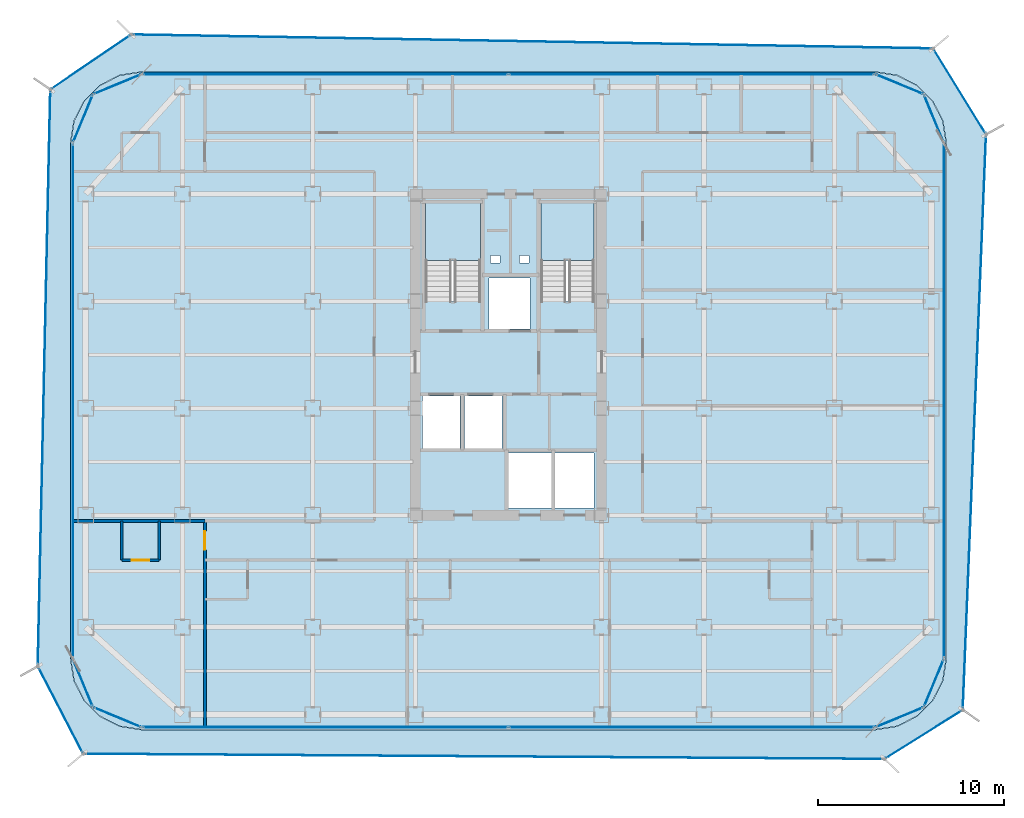
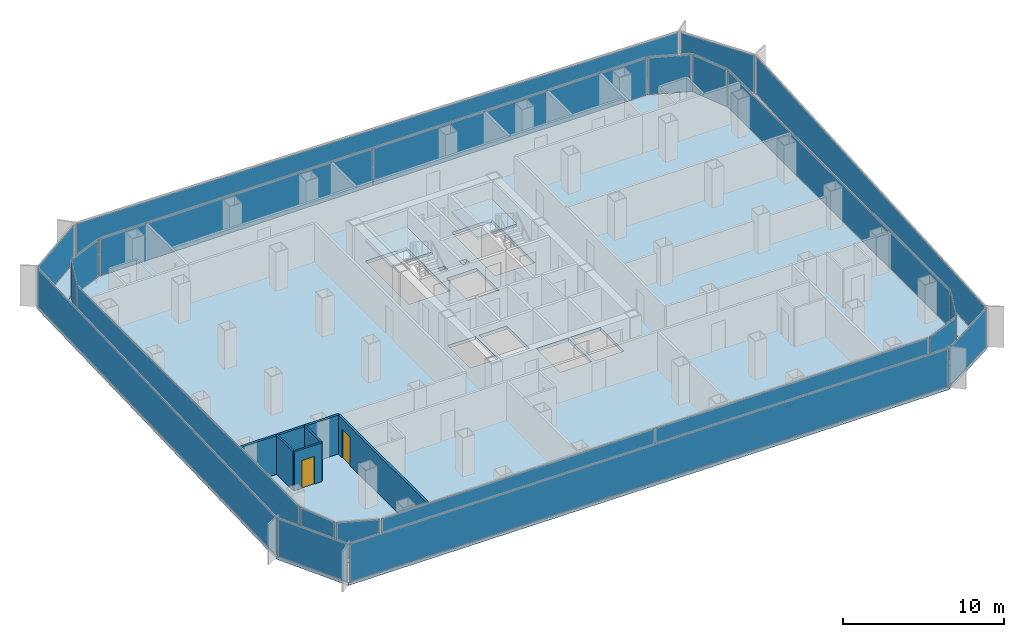
# One storey, part 15 of 21: 22 plates, 5 walls, 4 slabs, 2 doors, 2 openings, 22 elements without a shape of their own.
"""IFC4 building model written with IfcOpenShell, lengths in metres."""

from ifc_helpers import new_model, si_unit, direction, frame, frame_2d, origin, origin_2d, place, context, subcontext, project, spatial, polyline, rectangle, outline, extrude, source, transform, mapped, material, layer, layer_set, type_object, element, fill, aggregate, save


model = new_model("IFC4")

# Units and contexts
model_context = context("Model", 3, precision=1e-05, world=origin(), true_north=direction((0.0, 1.0)))
body_context = subcontext(model_context, "Body", "Model", "MODEL_VIEW")
ifc_project = project(units=[si_unit("LENGTHUNIT", "METRE"), si_unit("AREAUNIT", "SQUARE_METRE"), si_unit("VOLUMEUNIT", "CUBIC_METRE"), si_unit("PLANEANGLEUNIT", "RADIAN"), si_unit("MASSUNIT", "GRAM", prefix="KILO")], contexts=[model_context])

# Site, building, storey
site_placement = place(None, origin())
site = spatial("IfcSite", under=ifc_project, at=site_placement, CompositionType="ELEMENT")
building_placement = place(site_placement, origin())
building = spatial("IfcBuilding", under=site, at=building_placement, Name="Kolveth Station Tower", CompositionType="ELEMENT")
storey_placement = place(building_placement, frame((0.0, 0.0, 121.5)))
storey = spatial("IfcBuildingStorey", under=building, at=storey_placement, Name="L33", CompositionType="ELEMENT", Elevation=121.5)

# Slab
ifc_material_1 = material(Name="Concrete C40/50", Category="concrete")
ifc_layer_1 = layer(ifc_material_1, 0.25)
ifc_layer_set_1 = layer_set([ifc_layer_1], Name="Concrete C40/50")
slab_type_1 = type_object("IfcSlabType", Name="Slab_SF-250", PredefinedType="FLOOR", material=ifc_layer_set_1)
slab_1_placement = place(storey_placement, frame((0.0, 0.0, -0.25)))
element("IfcSlab", 1, at=slab_1_placement, inside=storey, type_object=slab_type_1, Name="L33 Tower Structural Floor Slab", PredefinedType="FLOOR", context=body_context, shape_type="SweptSolid", body=[
    extrude(outline(polyline([(43.199951171875, 0.0), (44.374267578125, 0.18603515625), (45.43359375, 0.7255859375), (46.2744140625, 1.56640625), (46.81396484375, 2.625732421875), (47.0, 3.800048828125), (47.0, 31.5), (46.81396484375, 32.67431640625), (46.2744140625, 33.733642578125), (45.43359375, 34.57421875), (44.374267578125, 35.114013671875), (43.199951171875, 35.300048828125), (3.800048828125, 35.300048828125), (2.625732421875, 35.114013671875), (1.56640625, 34.57421875), (0.7255859375, 33.733642578125), (0.18603515625, 32.67431640625), (0.0, 31.5), (0.0, 3.800048828125), (0.18603515625, 2.625732421875), (0.7255859375, 1.56640625), (1.56640625, 0.7255859375), (2.625732421875, 0.18603515625), (3.800048828125, 0.0), (43.199951171875, 0.0)]), holes=[polyline([(19.0400390625, 22.985107421875), (22.0, 22.985107421875), (22.0, 28.39990234375), (19.0400390625, 28.39990234375), (19.0400390625, 22.985107421875)]), polyline([(25.239990234375, 22.985107421875), (28.10009765625, 22.985107421875), (28.10009765625, 28.39990234375), (25.239990234375, 28.39990234375), (25.239990234375, 22.985107421875)]), polyline([(18.89990234375, 15.10009765625), (20.89990234375, 15.10009765625), (20.89990234375, 17.89990234375), (18.89990234375, 17.89990234375), (18.89990234375, 15.10009765625)]), polyline([(21.14990234375, 15.10009765625), (23.14990234375, 15.10009765625), (23.14990234375, 17.89990234375), (21.14990234375, 17.89990234375), (21.14990234375, 15.10009765625)]), polyline([(22.449951171875, 21.5), (24.64990234375, 21.5), (24.64990234375, 24.25), (22.449951171875, 24.25), (22.449951171875, 21.5)]), polyline([(23.5, 11.89990234375), (25.800048828125, 11.89990234375), (25.800048828125, 14.85009765625), (23.5, 14.85009765625), (23.5, 11.89990234375)]), polyline([(26.0, 11.89990234375), (28.10009765625, 11.89990234375), (28.10009765625, 14.85009765625), (26.0, 14.85009765625), (26.0, 11.89990234375)]), polyline([(22.550048828125, 25.050048828125), (23.050048828125, 25.050048828125), (23.050048828125, 25.449951171875), (22.550048828125, 25.449951171875), (22.550048828125, 25.050048828125)]), polyline([(24.10009765625, 25.050048828125), (24.60009765625, 25.050048828125), (24.60009765625, 25.449951171875), (24.10009765625, 25.449951171875), (24.10009765625, 25.050048828125)])]), origin(), (0.0, 0.0, 1.0), 0.25),
])

# Stair, slab
stair_type_1 = type_object("IfcStairType", Name="Stair_ST2", PredefinedType="HALF_TURN_STAIR", material=ifc_material_1)
stair_1_placement = place(storey_placement, origin())
stair_1 = element("IfcStair", 2, at=stair_1_placement, inside=storey, type_object=stair_type_1, Name="L33 Tower Exit Stair ST2", PredefinedType="HALF_TURN_STAIR")
ifc_layer_2 = layer(ifc_material_1, 0.18994140625)
ifc_layer_set_2 = layer_set([ifc_layer_2], Name="Concrete C40/50")
slab_type_2 = type_object("IfcSlabType", Name="Slab_SL-190", PredefinedType="LANDING", material=ifc_layer_set_2)
slab_2_placement = place(storey_placement, frame((0.0, 0.0, 1.39990234375)))
slab_2 = element("IfcSlab", 3, at=slab_2_placement, type_object=slab_type_2, Name="ST2 landing 1", PredefinedType="LANDING", context=body_context, shape_type="SweptSolid", body=[
    extrude(outline(polyline([(28.10009765625, 25.18994140625), (28.10009765625, 28.39990234375), (25.239990234375, 28.39990234375), (25.239990234375, 25.18994140625), (28.10009765625, 25.18994140625)])), origin(), (0.0, 0.0, 1.0), 0.2001953125),
])
aggregate(stair_1, [slab_2])

stair_type_2 = type_object("IfcStairType", Name="Stair_ST1", PredefinedType="HALF_TURN_STAIR", material=ifc_material_1)
stair_2_placement = place(storey_placement, origin())
stair_2 = element("IfcStair", 4, at=stair_2_placement, inside=storey, type_object=stair_type_2, Name="L33 Tower Exit Stair ST1", PredefinedType="HALF_TURN_STAIR")
ifc_layer_3 = layer(ifc_material_1, 0.205078125)
ifc_layer_set_3 = layer_set([ifc_layer_3], Name="Concrete C40/50")
slab_type_3 = type_object("IfcSlabType", Name="Slab_SL-205", PredefinedType="LANDING", material=ifc_layer_set_3)
slab_3_placement = place(storey_placement, frame((0.0, 0.0, 1.39990234375)))
slab_3 = element("IfcSlab", 5, at=slab_3_placement, type_object=slab_type_3, Name="ST1 landing 1", PredefinedType="LANDING", context=body_context, shape_type="SweptSolid", body=[
    extrude(outline(polyline([(22.0, 25.18994140625), (22.0, 28.39990234375), (19.0400390625, 28.39990234375), (19.0400390625, 25.18994140625), (22.0, 25.18994140625)])), origin(), (0.0, 0.0, 1.0), 0.2001953125),
])
aggregate(stair_2, [slab_3])

# Slab
ifc_layer_4 = layer(ifc_material_1, 0.2099609375)
ifc_layer_set_4 = layer_set([ifc_layer_4], Name="Concrete C40/50")
slab_type_4 = type_object("IfcSlabType", Name="Slab_ST-210", PredefinedType="FLOOR", material=ifc_layer_set_4)
slab_4_placement = place(storey_placement, frame((0.0, 0.0, -0.2099609375)))
element("IfcSlab", 6, at=slab_4_placement, inside=storey, type_object=slab_type_4, Name="L33 Double-Skin Cavity Structural Ledger Ring", PredefinedType="FLOOR", context=body_context, shape_type="SweptSolid", body=[
    extrude(outline(polyline([(0.673095703125, -1.3037109375), (-1.764404296875, 3.398193359375), (-1.090576171875, 34.361572265625), (3.25341796875, 37.3125), (46.3046875, 36.564697265625), (49.14501953125, 31.949951171875), (47.8955078125, 1.05078125), (43.693359375, -1.582275390625), (0.673095703125, -1.3037109375)]), holes=[polyline([(43.202392578125, -0.014892578125), (44.376708984375, 0.171142578125), (44.381103515625, 0.172607421875), (45.4404296875, 0.71240234375), (45.444091796875, 0.715087890625), (46.284912109375, 1.555908203125), (46.28759765625, 1.5595703125), (46.827392578125, 2.618896484375), (46.828857421875, 2.623291015625), (47.014892578125, 3.797607421875), (47.014892578125, 3.800048828125), (47.014892578125, 31.5), (47.014892578125, 31.502197265625), (46.828857421875, 32.676513671875), (46.827392578125, 32.68115234375), (46.28759765625, 33.740478515625), (46.284912109375, 33.744140625), (45.444091796875, 34.5849609375), (45.4404296875, 34.587646484375), (44.381103515625, 35.12744140625), (44.376708984375, 35.12890625), (43.202392578125, 35.314697265625), (43.199951171875, 35.31494140625), (3.800048828125, 35.31494140625), (3.797607421875, 35.314697265625), (2.623291015625, 35.12890625), (2.618896484375, 35.12744140625), (1.5595703125, 34.587646484375), (1.555908203125, 34.5849609375), (0.715087890625, 33.744140625), (0.71240234375, 33.740478515625), (0.172607421875, 32.68115234375), (0.171142578125, 32.676513671875), (-0.014892578125, 31.502197265625), (-0.014892578125, 31.5), (-0.014892578125, 3.800048828125), (-0.014892578125, 3.797607421875), (0.171142578125, 2.623291015625), (0.172607421875, 2.618896484375), (0.71240234375, 1.5595703125), (0.715087890625, 1.555908203125), (1.555908203125, 0.715087890625), (1.5595703125, 0.71240234375), (2.618896484375, 0.172607421875), (2.623291015625, 0.171142578125), (3.797607421875, -0.014892578125), (3.800048828125, -0.014892578125), (43.199951171875, -0.014892578125), (43.202392578125, -0.014892578125)])]), origin(), (0.0, 0.0, 1.0), 0.2099609375),
])

# Curtain wall, plate
ifc_material_2 = material(Name="Aluminium 6063-T6 and low-E dark glass", Category="aluminium")
ifc_layer_5 = layer(ifc_material_2, 0.18994140625)
ifc_layer_set_5 = layer_set([ifc_layer_5], Name="Aluminium 6063-T6 and low-E dark glass")
curtain_wall_type_1 = type_object("IfcCurtainWallType", Name="CurtainWall_CW-Z2", PredefinedType="NOTDEFINED", material=ifc_layer_set_5)
curtain_wall_1_placement = place(storey_placement, origin())
curtain_wall_1 = element("IfcCurtainWall", 7, at=curtain_wall_1_placement, inside=storey, type_object=curtain_wall_type_1, Name="L33 Inner Thermal Curtain Wall 1", PredefinedType="NOTDEFINED")
ifc_material_3 = material(Name="Architectural low-E dark glass", Category="glass")
ifc_layer_6 = layer(ifc_material_3, 0.0380859375)
ifc_layer_set_6 = layer_set([ifc_layer_6], Name="Architectural low-E dark glass")
plate_type_1 = type_object("IfcPlateType", Name="Panel_GL2", PredefinedType="CURTAIN_PANEL", material=ifc_layer_set_6)
shared_shape_1 = source(origin(), body_context, "Body", "SweptSolid", [
    extrude(rectangle(XDim=2.670654296875, YDim=0.0380859375, at=origin_2d()), origin(), (0.0, 0.0, 1.0), 2.803955078125),
])
plate_1_placement = place(storey_placement, frame((44.501220703125, 0.658935546875, 0.0732421875), z_axis=(0.0, 0.0, 1.0), x_axis=(0.923887883787, 0.38266326998, 0.0)))
plate_1 = element("IfcPlate", 8, at=plate_1_placement, type_object=plate_type_1, Name="CW-Z2 panel 1.1", PredefinedType="CURTAIN_PANEL", context=body_context, shape_type="MappedRepresentation", body=[
    mapped(shared_shape_1, transform((0.0, 0.0, 0.0), x_axis=(1.0, 0.0, 0.0), y_axis=(0.0, 1.0, 0.0), z_axis=(0.0, 0.0, 1.0), scale=1.0)),
])
aggregate(curtain_wall_1, [plate_1])

curtain_wall_2_placement = place(storey_placement, origin())
curtain_wall_2 = element("IfcCurtainWall", 9, at=curtain_wall_2_placement, inside=storey, type_object=curtain_wall_type_1, Name="L33 Inner Thermal Curtain Wall 2", PredefinedType="NOTDEFINED")
plate_2_placement = place(storey_placement, frame((46.341064453125, 2.498779296875, 0.0732421875), z_axis=(0.0, 0.0, 1.0), x_axis=(0.38266326998, 0.923887883787, 0.0)))
plate_2 = element("IfcPlate", 10, at=plate_2_placement, type_object=plate_type_1, Name="CW-Z2 panel 1.1", PredefinedType="CURTAIN_PANEL", context=body_context, shape_type="MappedRepresentation", body=[
    mapped(shared_shape_1, transform((0.0, 0.0, 0.0), x_axis=(1.0, 0.0, 0.0), y_axis=(0.0, 1.0, 0.0), z_axis=(0.0, 0.0, 1.0), scale=1.0)),
])
aggregate(curtain_wall_2, [plate_2])

curtain_wall_3_placement = place(storey_placement, origin())
curtain_wall_3 = element("IfcCurtainWall", 11, at=curtain_wall_3_placement, inside=storey, type_object=curtain_wall_type_1, Name="L33 Inner Thermal Curtain Wall 4", PredefinedType="NOTDEFINED")
plate_3_placement = place(storey_placement, frame((46.341064453125, 32.801025390625, 0.0732421875), z_axis=(0.0, 0.0, 1.0), x_axis=(-0.38266326998, 0.923887883787, 0.0)))
plate_3 = element("IfcPlate", 12, at=plate_3_placement, type_object=plate_type_1, Name="CW-Z2 panel 1.1", PredefinedType="CURTAIN_PANEL", context=body_context, shape_type="MappedRepresentation", body=[
    mapped(shared_shape_1, transform((0.0, 0.0, 0.0), x_axis=(1.0, 0.0, 0.0), y_axis=(0.0, 1.0, 0.0), z_axis=(0.0, 0.0, 1.0), scale=1.0)),
])
aggregate(curtain_wall_3, [plate_3])

curtain_wall_4_placement = place(storey_placement, origin())
curtain_wall_4 = element("IfcCurtainWall", 13, at=curtain_wall_4_placement, inside=storey, type_object=curtain_wall_type_1, Name="L33 Inner Thermal Curtain Wall 5", PredefinedType="NOTDEFINED")
plate_4_placement = place(storey_placement, frame((44.501220703125, 34.64111328125, 0.0732421875), z_axis=(0.0, 0.0, 1.0), x_axis=(-0.923887883787, 0.38266326998, 0.0)))
plate_4 = element("IfcPlate", 14, at=plate_4_placement, type_object=plate_type_1, Name="CW-Z2 panel 1.1", PredefinedType="CURTAIN_PANEL", context=body_context, shape_type="MappedRepresentation", body=[
    mapped(shared_shape_1, transform((0.0, 0.0, 0.0), x_axis=(1.0, 0.0, 0.0), y_axis=(0.0, 1.0, 0.0), z_axis=(0.0, 0.0, 1.0), scale=1.0)),
])
aggregate(curtain_wall_4, [plate_4])

curtain_wall_5_placement = place(storey_placement, origin())
curtain_wall_5 = element("IfcCurtainWall", 15, at=curtain_wall_5_placement, inside=storey, type_object=curtain_wall_type_1, Name="L33 Inner Thermal Curtain Wall 7", PredefinedType="NOTDEFINED")
plate_5_placement = place(storey_placement, frame((2.498779296875, 34.64111328125, 0.0732421875), z_axis=(0.0, 0.0, 1.0), x_axis=(-0.923887883787, -0.38266326998, 0.0)))
plate_5 = element("IfcPlate", 16, at=plate_5_placement, type_object=plate_type_1, Name="CW-Z2 panel 1.1", PredefinedType="CURTAIN_PANEL", context=body_context, shape_type="MappedRepresentation", body=[
    mapped(shared_shape_1, transform((0.0, 0.0, 0.0), x_axis=(1.0, 0.0, 0.0), y_axis=(0.0, 1.0, 0.0), z_axis=(0.0, 0.0, 1.0), scale=1.0)),
])
aggregate(curtain_wall_5, [plate_5])

curtain_wall_6_placement = place(storey_placement, origin())
curtain_wall_6 = element("IfcCurtainWall", 17, at=curtain_wall_6_placement, inside=storey, type_object=curtain_wall_type_1, Name="L33 Inner Thermal Curtain Wall 8", PredefinedType="NOTDEFINED")
plate_6_placement = place(storey_placement, frame((0.658935546875, 32.801025390625, 0.0732421875), z_axis=(0.0, 0.0, 1.0), x_axis=(-0.38266326998, -0.923887883787, 0.0)))
plate_6 = element("IfcPlate", 18, at=plate_6_placement, type_object=plate_type_1, Name="CW-Z2 panel 1.1", PredefinedType="CURTAIN_PANEL", context=body_context, shape_type="MappedRepresentation", body=[
    mapped(shared_shape_1, transform((0.0, 0.0, 0.0), x_axis=(1.0, 0.0, 0.0), y_axis=(0.0, 1.0, 0.0), z_axis=(0.0, 0.0, 1.0), scale=1.0)),
])
aggregate(curtain_wall_6, [plate_6])

curtain_wall_7_placement = place(storey_placement, origin())
curtain_wall_7 = element("IfcCurtainWall", 19, at=curtain_wall_7_placement, inside=storey, type_object=curtain_wall_type_1, Name="L33 Inner Thermal Curtain Wall 10", PredefinedType="NOTDEFINED")
plate_7_placement = place(storey_placement, frame((0.658935546875, 2.498779296875, 0.0732421875), z_axis=(0.0, 0.0, 1.0), x_axis=(0.38266326998, -0.923887883787, 0.0)))
plate_7 = element("IfcPlate", 20, at=plate_7_placement, type_object=plate_type_1, Name="CW-Z2 panel 1.1", PredefinedType="CURTAIN_PANEL", context=body_context, shape_type="MappedRepresentation", body=[
    mapped(shared_shape_1, transform((0.0, 0.0, 0.0), x_axis=(1.0, 0.0, 0.0), y_axis=(0.0, 1.0, 0.0), z_axis=(0.0, 0.0, 1.0), scale=1.0)),
])
aggregate(curtain_wall_7, [plate_7])

curtain_wall_8_placement = place(storey_placement, origin())
curtain_wall_8 = element("IfcCurtainWall", 21, at=curtain_wall_8_placement, inside=storey, type_object=curtain_wall_type_1, Name="L33 Inner Thermal Curtain Wall 11", PredefinedType="NOTDEFINED")
plate_8_placement = place(storey_placement, frame((2.498779296875, 0.658935546875, 0.0732421875), z_axis=(0.0, 0.0, 1.0), x_axis=(0.923887883787, -0.38266326998, 0.0)))
plate_8 = element("IfcPlate", 22, at=plate_8_placement, type_object=plate_type_1, Name="CW-Z2 panel 1.1", PredefinedType="CURTAIN_PANEL", context=body_context, shape_type="MappedRepresentation", body=[
    mapped(shared_shape_1, transform((0.0, 0.0, 0.0), x_axis=(1.0, 0.0, 0.0), y_axis=(0.0, 1.0, 0.0), z_axis=(0.0, 0.0, 1.0), scale=1.0)),
])
aggregate(curtain_wall_8, [plate_8])

curtain_wall_9_placement = place(storey_placement, origin())
curtain_wall_9 = element("IfcCurtainWall", 23, at=curtain_wall_9_placement, inside=storey, type_object=curtain_wall_type_1, Name="L33 Inner Thermal Curtain Wall 3", PredefinedType="NOTDEFINED")
shared_shape_2 = source(origin(), body_context, "Body", "SweptSolid", [
    extrude(rectangle(XDim=27.553955078125, YDim=0.0380859375, at=origin_2d()), origin(), (0.0, 0.0, 1.0), 2.803955078125),
])
plate_9_placement = place(storey_placement, frame((46.8798828125, 17.64990234375, 0.0732421875), z_axis=(0.0, 0.0, 1.0), x_axis=(0.0, 1.0, 0.0)))
plate_9 = element("IfcPlate", 24, at=plate_9_placement, type_object=plate_type_1, Name="CW-Z2 panel 1.1", PredefinedType="CURTAIN_PANEL", context=body_context, shape_type="MappedRepresentation", body=[
    mapped(shared_shape_2, transform((0.0, 0.0, 0.0), x_axis=(1.0, 0.0, 0.0), y_axis=(0.0, 1.0, 0.0), z_axis=(0.0, 0.0, 1.0), scale=1.0)),
])
aggregate(curtain_wall_9, [plate_9])

curtain_wall_10_placement = place(storey_placement, origin())
curtain_wall_10 = element("IfcCurtainWall", 25, at=curtain_wall_10_placement, inside=storey, type_object=curtain_wall_type_1, Name="L33 Inner Thermal Curtain Wall 9", PredefinedType="NOTDEFINED")
plate_10_placement = place(storey_placement, frame((0.1201171875, 17.64990234375, 0.0732421875), z_axis=(0.0, 0.0, 1.0), x_axis=(0.0, -1.0, 0.0)))
plate_10 = element("IfcPlate", 26, at=plate_10_placement, type_object=plate_type_1, Name="CW-Z2 panel 1.1", PredefinedType="CURTAIN_PANEL", context=body_context, shape_type="MappedRepresentation", body=[
    mapped(shared_shape_2, transform((0.0, 0.0, 0.0), x_axis=(1.0, 0.0, 0.0), y_axis=(0.0, 1.0, 0.0), z_axis=(0.0, 0.0, 1.0), scale=1.0)),
])
aggregate(curtain_wall_10, [plate_10])

# Curtain wall, plates
curtain_wall_11_placement = place(storey_placement, origin())
curtain_wall_11 = element("IfcCurtainWall", 27, at=curtain_wall_11_placement, inside=storey, type_object=curtain_wall_type_1, Name="L33 Inner Thermal Curtain Wall 6", PredefinedType="NOTDEFINED")
shared_shape_3 = source(origin(), body_context, "Body", "SweptSolid", [
    extrude(rectangle(XDim=19.593994140625, YDim=0.0380859375, at=origin_2d()), origin(), (0.0, 0.0, 1.0), 2.803955078125),
])
plate_11_placement = place(storey_placement, frame((33.330078125, 35.179931640625, 0.0732421875), z_axis=(0.0, 0.0, 1.0), x_axis=(-1.0, 0.0, 0.0)))
plate_11 = element("IfcPlate", 28, at=plate_11_placement, type_object=plate_type_1, Name="CW-Z2 panel 1.1", PredefinedType="CURTAIN_PANEL", context=body_context, shape_type="MappedRepresentation", body=[
    mapped(shared_shape_3, transform((0.0, 0.0, 0.0), x_axis=(1.0, 0.0, 0.0), y_axis=(0.0, 1.0, 0.0), z_axis=(0.0, 0.0, 1.0), scale=1.0)),
])
plate_12_placement = place(storey_placement, frame((13.669921875, 35.179931640625, 0.0732421875), z_axis=(0.0, 0.0, 1.0), x_axis=(-1.0, 0.0, 0.0)))
plate_12 = element("IfcPlate", 29, at=plate_12_placement, type_object=plate_type_1, Name="CW-Z2 panel 2.1", PredefinedType="CURTAIN_PANEL", context=body_context, shape_type="MappedRepresentation", body=[
    mapped(shared_shape_3, transform((0.0, 0.0, 0.0), x_axis=(1.0, 0.0, 0.0), y_axis=(0.0, 1.0, 0.0), z_axis=(0.0, 0.0, 1.0), scale=1.0)),
])
aggregate(curtain_wall_11, [plate_11, plate_12])

curtain_wall_12_placement = place(storey_placement, origin())
curtain_wall_12 = element("IfcCurtainWall", 30, at=curtain_wall_12_placement, inside=storey, type_object=curtain_wall_type_1, Name="L33 Inner Thermal Curtain Wall 12", PredefinedType="NOTDEFINED")
plate_13_placement = place(storey_placement, frame((13.669921875, 0.1201171875, 0.0732421875), z_axis=(0.0, 0.0, 1.0), x_axis=(1.0, 0.0, 0.0)))
plate_13 = element("IfcPlate", 31, at=plate_13_placement, type_object=plate_type_1, Name="CW-Z2 panel 1.1", PredefinedType="CURTAIN_PANEL", context=body_context, shape_type="MappedRepresentation", body=[
    mapped(shared_shape_3, transform((0.0, 0.0, 0.0), x_axis=(1.0, 0.0, 0.0), y_axis=(0.0, 1.0, 0.0), z_axis=(0.0, 0.0, 1.0), scale=1.0)),
])
plate_14_placement = place(storey_placement, frame((33.330078125, 0.1201171875, 0.0732421875), z_axis=(0.0, 0.0, 1.0), x_axis=(1.0, 0.0, 0.0)))
plate_14 = element("IfcPlate", 32, at=plate_14_placement, type_object=plate_type_1, Name="CW-Z2 panel 2.1", PredefinedType="CURTAIN_PANEL", context=body_context, shape_type="MappedRepresentation", body=[
    mapped(shared_shape_3, transform((0.0, 0.0, 0.0), x_axis=(1.0, 0.0, 0.0), y_axis=(0.0, 1.0, 0.0), z_axis=(0.0, 0.0, 1.0), scale=1.0)),
])
aggregate(curtain_wall_12, [plate_13, plate_14])

# Curtain wall, plate
ifc_material_4 = material(Name="Black anodized aluminium 6063-T6 and dark solar glass", Category="aluminium")
ifc_layer_7 = layer(ifc_material_4, 0.159912109375)
ifc_layer_set_7 = layer_set([ifc_layer_7], Name="Black anodized aluminium 6063-T6 and dark solar glass")
curtain_wall_type_2 = type_object("IfcCurtainWallType", Name="OUTER SKIN CW-OS", PredefinedType="NOTDEFINED", material=ifc_layer_set_7)
curtain_wall_13_placement = place(storey_placement, origin())
curtain_wall_13 = element("IfcCurtainWall", 33, at=curtain_wall_13_placement, inside=storey, type_object=curtain_wall_type_2, Name="L33 Outer Ventilated Skin Curtain Wall 1", PredefinedType="NOTDEFINED")
ifc_layer_8 = layer(ifc_material_3, 0.028076171875)
ifc_layer_set_8 = layer_set([ifc_layer_8], Name="Architectural low-E dark glass")
plate_type_2 = type_object("IfcPlateType", Name="Panel_GL-OS", PredefinedType="CURTAIN_PANEL", material=ifc_layer_set_8)
shared_shape_4 = source(origin(), body_context, "Body", "SweptSolid", [
    extrude(rectangle(XDim=4.79296875, YDim=0.028076171875, at=origin_2d()), origin(), (0.0, 0.0, 1.0), 2.843994140625),
])
plate_15_placement = place(storey_placement, frame((45.79443359375, -0.265869140625, 0.0732421875), z_axis=(0.0, 0.0, 1.0), x_axis=(0.847412082265, 0.530935742658, 0.0)))
plate_15 = element("IfcPlate", 34, at=plate_15_placement, type_object=plate_type_2, Name="CW-OS panel 1.1", PredefinedType="CURTAIN_PANEL", context=body_context, shape_type="MappedRepresentation", body=[
    mapped(shared_shape_4, transform((0.0, 0.0, 0.0), x_axis=(1.0, 0.0, 0.0), y_axis=(0.0, 1.0, 0.0), z_axis=(0.0, 0.0, 1.0), scale=1.0)),
])
aggregate(curtain_wall_13, [plate_15])

curtain_wall_14_placement = place(storey_placement, origin())
curtain_wall_14 = element("IfcCurtainWall", 35, at=curtain_wall_14_placement, inside=storey, type_object=curtain_wall_type_2, Name="L33 Outer Ventilated Skin Curtain Wall 2", PredefinedType="NOTDEFINED")
shared_shape_5 = source(origin(), body_context, "Body", "SweptSolid", [
    extrude(rectangle(XDim=30.75830078125, YDim=0.028076171875, at=origin_2d()), origin(), (0.0, 0.0, 1.0), 2.843994140625),
])
plate_16_placement = place(storey_placement, frame((48.520263671875, 16.500244140625, 0.0732421875), z_axis=(0.0, 0.0, 1.0), x_axis=(0.040401689619, 0.999183518417, 0.0)))
plate_16 = element("IfcPlate", 36, at=plate_16_placement, type_object=plate_type_2, Name="CW-OS panel 1.1", PredefinedType="CURTAIN_PANEL", context=body_context, shape_type="MappedRepresentation", body=[
    mapped(shared_shape_5, transform((0.0, 0.0, 0.0), x_axis=(1.0, 0.0, 0.0), y_axis=(0.0, 1.0, 0.0), z_axis=(0.0, 0.0, 1.0), scale=1.0)),
])
aggregate(curtain_wall_14, [plate_16])

curtain_wall_15_placement = place(storey_placement, origin())
curtain_wall_15 = element("IfcCurtainWall", 37, at=curtain_wall_15_placement, inside=storey, type_object=curtain_wall_type_2, Name="L33 Outer Ventilated Skin Curtain Wall 3", PredefinedType="NOTDEFINED")
shared_shape_6 = source(origin(), body_context, "Body", "SweptSolid", [
    extrude(rectangle(XDim=5.2529296875, YDim=0.028076171875, at=origin_2d()), origin(), (0.0, 0.0, 1.0), 2.843994140625),
])
plate_17_placement = place(storey_placement, frame((47.724853515625, 34.25732421875, 0.0732421875), z_axis=(0.0, 0.0, 1.0), x_axis=(-0.524167438214, 0.851615228091, 0.0)))
plate_17 = element("IfcPlate", 38, at=plate_17_placement, type_object=plate_type_2, Name="CW-OS panel 1.1", PredefinedType="CURTAIN_PANEL", context=body_context, shape_type="MappedRepresentation", body=[
    mapped(shared_shape_6, transform((0.0, 0.0, 0.0), x_axis=(1.0, 0.0, 0.0), y_axis=(0.0, 1.0, 0.0), z_axis=(0.0, 0.0, 1.0), scale=1.0)),
])
aggregate(curtain_wall_15, [plate_17])

curtain_wall_16_placement = place(storey_placement, origin())
curtain_wall_16 = element("IfcCurtainWall", 39, at=curtain_wall_16_placement, inside=storey, type_object=curtain_wall_type_2, Name="L33 Outer Ventilated Skin Curtain Wall 4", PredefinedType="NOTDEFINED")
shared_shape_7 = source(origin(), body_context, "Body", "SweptSolid", [
    extrude(rectangle(XDim=42.8916015625, YDim=0.028076171875, at=origin_2d()), origin(), (0.0, 0.0, 1.0), 2.843994140625),
])
plate_18_placement = place(storey_placement, frame((24.779052734375, 36.938720703125, 0.0732421875), z_axis=(0.0, 0.0, 1.0), x_axis=(-0.999849174714, 0.017367435746, 0.0)))
plate_18 = element("IfcPlate", 40, at=plate_18_placement, type_object=plate_type_2, Name="CW-OS panel 1.1", PredefinedType="CURTAIN_PANEL", context=body_context, shape_type="MappedRepresentation", body=[
    mapped(shared_shape_7, transform((0.0, 0.0, 0.0), x_axis=(1.0, 0.0, 0.0), y_axis=(0.0, 1.0, 0.0), z_axis=(0.0, 0.0, 1.0), scale=1.0)),
])
aggregate(curtain_wall_16, [plate_18])

curtain_wall_17_placement = place(storey_placement, origin())
curtain_wall_17 = element("IfcCurtainWall", 41, at=curtain_wall_17_placement, inside=storey, type_object=curtain_wall_type_2, Name="L33 Outer Ventilated Skin Curtain Wall 5", PredefinedType="NOTDEFINED")
shared_shape_8 = source(origin(), body_context, "Body", "SweptSolid", [
    extrude(rectangle(XDim=5.08544921875, YDim=0.028076171875, at=origin_2d()), origin(), (0.0, 0.0, 1.0), 2.843994140625),
])
plate_19_placement = place(storey_placement, frame((1.08154296875, 35.8369140625, 0.0732421875), z_axis=(0.0, 0.0, 1.0), x_axis=(-0.827184961, -0.561929746761, 0.0)))
plate_19 = element("IfcPlate", 42, at=plate_19_placement, type_object=plate_type_2, Name="CW-OS panel 1.1", PredefinedType="CURTAIN_PANEL", context=body_context, shape_type="MappedRepresentation", body=[
    mapped(shared_shape_8, transform((0.0, 0.0, 0.0), x_axis=(1.0, 0.0, 0.0), y_axis=(0.0, 1.0, 0.0), z_axis=(0.0, 0.0, 1.0), scale=1.0)),
])
aggregate(curtain_wall_17, [plate_19])

curtain_wall_18_placement = place(storey_placement, origin())
curtain_wall_18 = element("IfcCurtainWall", 43, at=curtain_wall_18_placement, inside=storey, type_object=curtain_wall_type_2, Name="L33 Outer Ventilated Skin Curtain Wall 6", PredefinedType="NOTDEFINED")
shared_shape_9 = source(origin(), body_context, "Body", "SweptSolid", [
    extrude(rectangle(XDim=30.8046875, YDim=0.028076171875, at=origin_2d()), origin(), (0.0, 0.0, 1.0), 2.843994140625),
])
plate_20_placement = place(storey_placement, frame((-1.427490234375, 18.8798828125, 0.0732421875), z_axis=(0.0, 0.0, 1.0), x_axis=(-0.021759322998, -0.999763237903, 0.0)))
plate_20 = element("IfcPlate", 44, at=plate_20_placement, type_object=plate_type_2, Name="CW-OS panel 1.1", PredefinedType="CURTAIN_PANEL", context=body_context, shape_type="MappedRepresentation", body=[
    mapped(shared_shape_9, transform((0.0, 0.0, 0.0), x_axis=(1.0, 0.0, 0.0), y_axis=(0.0, 1.0, 0.0), z_axis=(0.0, 0.0, 1.0), scale=1.0)),
])
aggregate(curtain_wall_18, [plate_20])

curtain_wall_19_placement = place(storey_placement, origin())
curtain_wall_19 = element("IfcCurtainWall", 45, at=curtain_wall_19_placement, inside=storey, type_object=curtain_wall_type_2, Name="L33 Outer Ventilated Skin Curtain Wall 7", PredefinedType="NOTDEFINED")
shared_shape_10 = source(origin(), body_context, "Body", "SweptSolid", [
    extrude(rectangle(XDim=5.130126953125, YDim=0.028076171875, at=origin_2d()), origin(), (0.0, 0.0, 1.0), 2.843994140625),
])
plate_21_placement = place(storey_placement, frame((-0.545654296875, 1.04736328125, 0.0732421875), z_axis=(0.0, 0.0, 1.0), x_axis=(0.46023945208, -0.887794822439, 0.0)))
plate_21 = element("IfcPlate", 46, at=plate_21_placement, type_object=plate_type_2, Name="CW-OS panel 1.1", PredefinedType="CURTAIN_PANEL", context=body_context, shape_type="MappedRepresentation", body=[
    mapped(shared_shape_10, transform((0.0, 0.0, 0.0), x_axis=(1.0, 0.0, 0.0), y_axis=(0.0, 1.0, 0.0), z_axis=(0.0, 0.0, 1.0), scale=1.0)),
])
aggregate(curtain_wall_19, [plate_21])

curtain_wall_20_placement = place(storey_placement, origin())
curtain_wall_20 = element("IfcCurtainWall", 47, at=curtain_wall_20_placement, inside=storey, type_object=curtain_wall_type_2, Name="L33 Outer Ventilated Skin Curtain Wall 8", PredefinedType="NOTDEFINED")
shared_shape_11 = source(origin(), body_context, "Body", "SweptSolid", [
    extrude(rectangle(XDim=42.85498046875, YDim=0.028076171875, at=origin_2d()), origin(), (0.0, 0.0, 1.0), 2.843994140625),
])
plate_22_placement = place(storey_placement, frame((22.18310546875, -1.44287109375, 0.0732421875), z_axis=(0.0, 0.0, 1.0), x_axis=(0.999979046243, -0.006473567399, 0.0)))
plate_22 = element("IfcPlate", 48, at=plate_22_placement, type_object=plate_type_2, Name="CW-OS panel 1.1", PredefinedType="CURTAIN_PANEL", context=body_context, shape_type="MappedRepresentation", body=[
    mapped(shared_shape_11, transform((0.0, 0.0, 0.0), x_axis=(1.0, 0.0, 0.0), y_axis=(0.0, 1.0, 0.0), z_axis=(0.0, 0.0, 1.0), scale=1.0)),
])
aggregate(curtain_wall_20, [plate_22])

# Walls
ifc_material_5 = material(Name="Moisture-resistant gypsum partition")
ifc_layer_9 = layer(ifc_material_5, 0.135009765625)
ifc_layer_set_9 = layer_set([ifc_layer_9], Name="Moisture-resistant gypsum partition")
wall_type_1 = type_object("IfcWallType", Name="Wall_IW-135", PredefinedType="PARTITIONING", material=ifc_layer_set_9)
for number, where, z_axis, x_axis, name in (
    (49, (2.75, 9.10009765625, 0.0), (0.0, 0.0, 1.0), (0.0, 1.0, 0.0), "L33 Partition Wall WL-L33-WS1-BV1"),
    (50, (4.75, 9.10009765625, 0.0), (0.0, 0.0, 1.0), (0.0, 1.0, 0.0), "L33 Partition Wall WL-L33-WS1-BV2"),
):
    element("IfcWall", number, at=place(storey_placement, frame(where, z_axis=z_axis, x_axis=x_axis)), inside=storey, type_object=wall_type_1, Name=name, PredefinedType="PARTITIONING", context=body_context, shape_type="SweptSolid", body=[
        extrude(rectangle(XDim=2.099853515625, YDim=0.135009765625, at=frame_2d((1.0498046875, 0.0))), origin(), (0.0, 0.0, 1.0), 2.949951171875),
    ])

# Wall, opening, door
wall_1_placement = place(storey_placement, frame((2.75, 9.10009765625, 0.0), z_axis=(0.0, 0.0, 1.0), x_axis=(1.0, 0.0, 0.0)))
wall_1 = element("IfcWall", 51, at=wall_1_placement, inside=storey, type_object=wall_type_1, Name="L33 Partition Wall WL-L33-WS1-BH", PredefinedType="PARTITIONING", context=body_context, shape_type="SweptSolid", body=[
    extrude(rectangle(XDim=2.0, YDim=0.135009765625, at=frame_2d((1.0, 0.0))), origin(), (0.0, 0.0, 1.0), 2.949951171875),
])
opening_1_placement = place(wall_1_placement, frame((0.5400390625, 0.0, 0.0)))
opening_1 = element("IfcOpeningElement", 52, at=opening_1_placement, cuts=wall_1, Name="Opening ID2", PredefinedType="OPENING", context=body_context, shape_type="SweptSolid", body=[
    extrude(rectangle(XDim=0.919921875, YDim=2.10009765625, at=frame_2d((0.4599609375, 1.050048828125))), frame((0.0, 0.077392578125, 0.0), z_axis=(0.0, -1.0, 0.0), x_axis=(1.0, 0.0, 0.0)), (0.0, 0.0, 1.0), 0.155029296875),
])
ifc_material_6 = material(Name="Moisture-resistant hardwood leaf", Category="wood")
door_type_1 = type_object("IfcDoorType", Name="Door_ID2", OperationType="NOTDEFINED", PredefinedType="DOOR", material=ifc_material_6)
door_1_placement = place(opening_1_placement, origin())
door_1 = element("IfcDoor", 53, at=door_1_placement, inside=storey, type_object=door_type_1, Name="L33 Hotel Corner Suite WS1 En-Suite Door", OperationType="SINGLE_SWING_LEFT", OverallHeight=2.10009765625, OverallWidth=0.919921875, PredefinedType="DOOR", context=body_context, shape_type="SweptSolid", body=[
    extrude(rectangle(XDim=0.919921875, YDim=2.10009765625, at=frame_2d((0.4599609375, 1.050048828125))), frame((0.0, 0.02490234375, 0.0), z_axis=(0.0, -1.0, 0.0), x_axis=(1.0, 0.0, 0.0)), (0.0, 0.0, 1.0), 0.050048828125),
])
fill(opening_1, door_1)

ifc_material_7 = material(Name="Acoustic double-stud gypsum partition")
ifc_layer_10 = layer(ifc_material_7, 0.1650390625)
ifc_layer_set_10 = layer_set([ifc_layer_10], Name="Acoustic double-stud gypsum partition")
wall_type_2 = type_object("IfcWallType", Name="Wall_IW-165", PredefinedType="PARTITIONING", material=ifc_layer_set_10)
wall_2_placement = place(storey_placement, frame((7.199951171875, 0.159912109375, 0.0), z_axis=(0.0, 0.0, 1.0), x_axis=(0.0, 1.0, 0.0)))
wall_2 = element("IfcWall", 54, at=wall_2_placement, inside=storey, type_object=wall_type_2, Name="L33 Partition Wall WL-L33-END-WS", PredefinedType="PARTITIONING", context=body_context, shape_type="SweptSolid", body=[
    extrude(rectangle(XDim=11.0400390625, YDim=0.1650390625, at=frame_2d((5.52001953125, 0.0))), origin(), (0.0, 0.0, 1.0), 2.949951171875),
])
opening_2_placement = place(wall_2_placement, frame((9.489990234375, 0.0, 0.0)))
opening_2 = element("IfcOpeningElement", 55, at=opening_2_placement, cuts=wall_2, Name="Opening FD3", PredefinedType="OPENING", context=body_context, shape_type="SweptSolid", body=[
    extrude(rectangle(XDim=1.0, YDim=2.14990234375, at=frame_2d((0.5, 1.074951171875))), frame((0.0, 0.092529296875, 0.0), z_axis=(0.0, -1.0, 0.0), x_axis=(1.0, 0.0, 0.0)), (0.0, 0.0, 1.0), 0.18505859375),
])
ifc_material_8 = material(Name="Fire-rated hardwood leaf and aluminium frame", Category="wood")
door_type_2 = type_object("IfcDoorType", Name="Door_FD3", OperationType="NOTDEFINED", PredefinedType="DOOR", material=ifc_material_8)
door_2_placement = place(opening_2_placement, origin())
door_2 = element("IfcDoor", 56, at=door_2_placement, inside=storey, type_object=door_type_2, Name="L33 Hotel Corner Suite WS1 Entrance Door", OperationType="SINGLE_SWING_LEFT", OverallHeight=2.14990234375, OverallWidth=1.0, PredefinedType="DOOR", context=body_context, shape_type="SweptSolid", body=[
    extrude(rectangle(XDim=1.0, YDim=2.14990234375, at=frame_2d((0.5, 1.074951171875))), frame((0.0, 0.02490234375, 0.0), z_axis=(0.0, -1.0, 0.0), x_axis=(1.0, 0.0, 0.0)), (0.0, 0.0, 1.0), 0.050048828125),
])
fill(opening_2, door_2)

# Wall
wall_3_placement = place(storey_placement, frame((0.159912109375, 11.199951171875, 0.0), z_axis=(0.0, 0.0, 1.0), x_axis=(1.0, 0.0, 0.0)))
element("IfcWall", 57, at=wall_3_placement, inside=storey, type_object=wall_type_2, Name="L33 Partition Wall WL-L33-WM1", PredefinedType="PARTITIONING", context=body_context, shape_type="SweptSolid", body=[
    extrude(rectangle(XDim=7.0400390625, YDim=0.1650390625, at=frame_2d((3.52001953125, 0.0))), origin(), (0.0, 0.0, 1.0), 2.949951171875),
])

save(model, "model.ifc")
